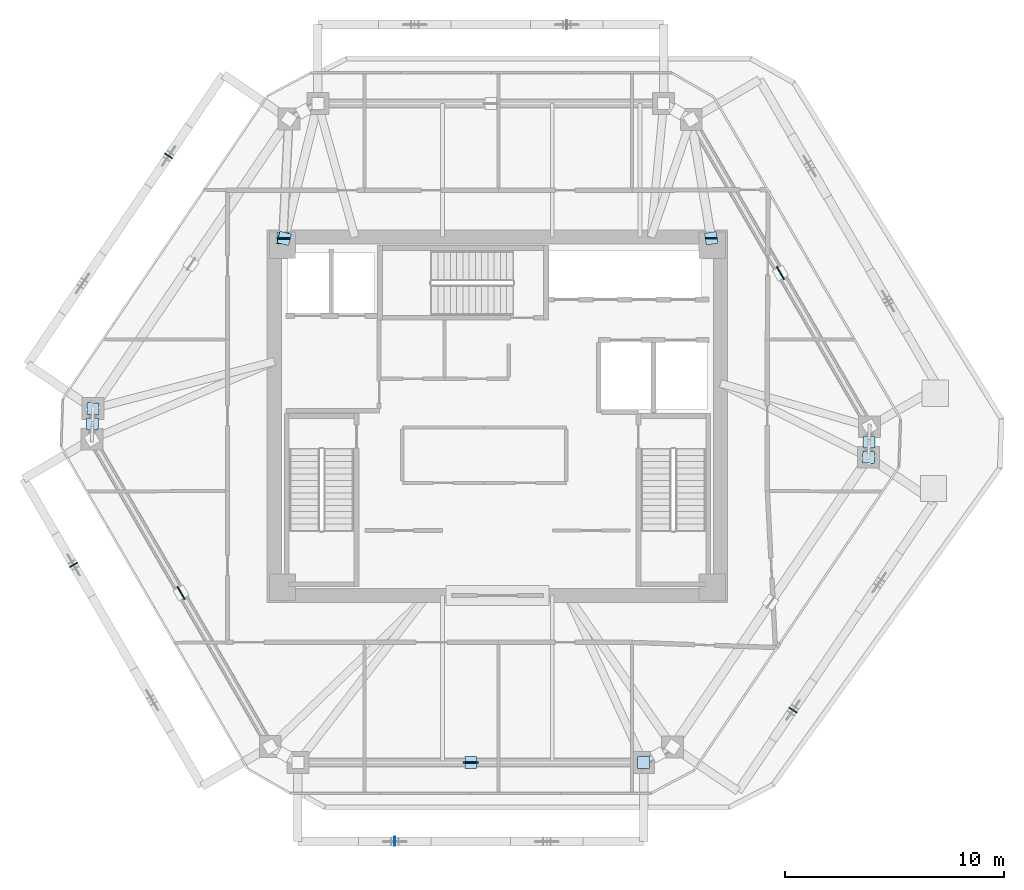
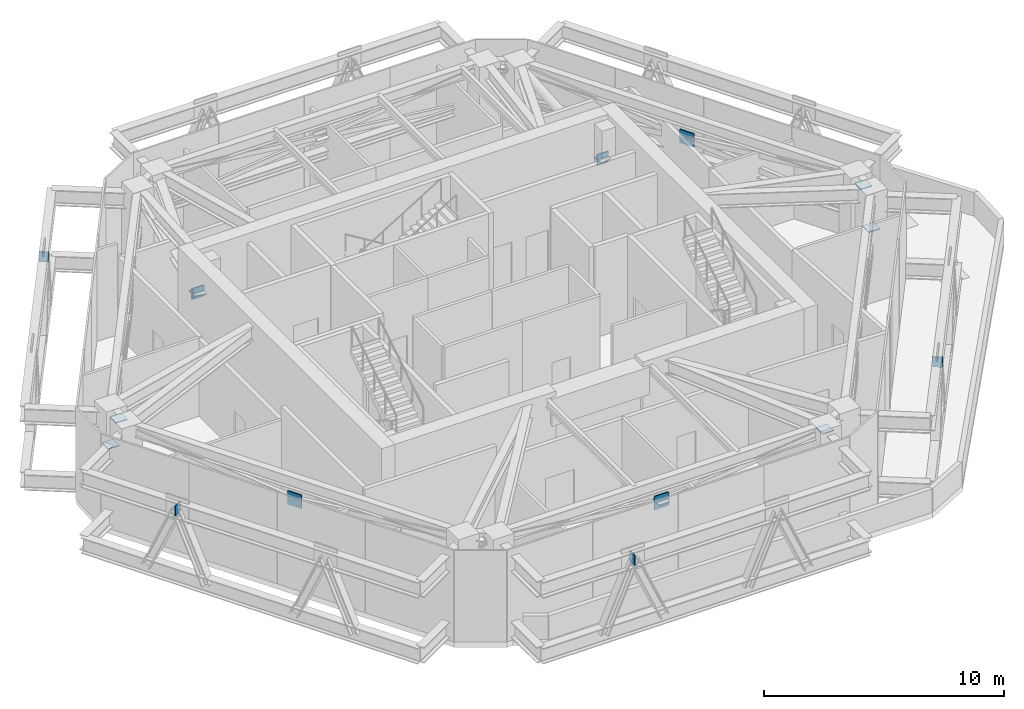
# One storey, part 5 of 10: 19 plates.
"""IFC4 building model written with IfcOpenShell, lengths in metres."""

from ifc_helpers import new_model, si_unit, direction, frame, origin, origin_2d, place, context, subcontext, project, spatial, rectangle, extrude, source, transform, mapped, material, layer, layer_set, type_object, type_shapes, element, save


model = new_model("IFC4")

# Units and contexts
model_context = context("Model", 3, precision=1e-05, world=origin(), true_north=direction((0.0, 1.0)))
body_context = subcontext(model_context, "Body", "Model", "MODEL_VIEW")
ifc_project = project(units=[si_unit("LENGTHUNIT", "METRE"), si_unit("AREAUNIT", "SQUARE_METRE"), si_unit("VOLUMEUNIT", "CUBIC_METRE"), si_unit("PLANEANGLEUNIT", "RADIAN"), si_unit("MASSUNIT", "GRAM", prefix="KILO")], contexts=[model_context])

# Site, building, storey
site_placement = place(None, origin())
site = spatial("IfcSite", under=ifc_project, at=site_placement, CompositionType="ELEMENT")
building_placement = place(site_placement, origin())
building = spatial("IfcBuilding", under=site, at=building_placement, Name="Durnholm Broadcast Tower", CompositionType="ELEMENT")
storey_placement = place(building_placement, frame((0.0, 0.0, 213.39990234375)))
storey = spatial("IfcBuildingStorey", under=building, at=storey_placement, Name="L59", CompositionType="ELEMENT", Elevation=213.39990234375)

# Plates
ifc_material_1 = material(Name="Steel ASTM A572 Grade 50", Category="steel")
ifc_layer_1 = layer(ifc_material_1, 0.0400390625)
ifc_layer_set_1 = layer_set([ifc_layer_1], Name="Steel ASTM A572 Grade 50")
plate_type_1 = type_object("IfcPlateType", Name="PLT-KN-CAP", PredefinedType="USERDEFINED", material=ifc_layer_set_1)
shared_shape_1 = source(origin(), body_context, "Body", "SweptSolid", [
    extrude(rectangle(XDim=0.5400390625, YDim=0.5400390625, at=origin_2d()), origin(), (0.0, 0.0, 1.0), 0.0400390625),
])
type_shapes(plate_type_1, [shared_shape_1])
for number, where, z_axis, x_axis, name in (
    (1, (-18.4462890625, 0.345947265625, 2.530029296875), (0.0, 0.0, 1.0), (0.034376212129, 0.999408963358, 0.0), "L59 hollow section end cap plate BT-CH-L59-02 2"),
    (2, (-18.47021484375, -0.35107421875, 4.2900390625), (0.0, 0.0, 1.0), (0.034376212129, 0.999408963358, 0.0), "L59 hollow section end cap plate BT-BR-L59-02-1 2"),
    (3, (16.92236328125, -1.869873046875, 2.530029296875), (0.0, 0.0, 1.0), (-0.034376212129, -0.999408963358, 0.0), "L59 hollow section end cap plate BT-CH-L59-08 2"),
    (4, (16.9462890625, -1.173095703125, 4.2900390625), (0.0, 0.0, 1.0), (-0.034201781837, -0.999414947917, 0.0), "L59 hollow section end cap plate BT-BR-L59-08-1 2"),
    (5, (-1.219970703125, -15.785888671875, 3.41015625), (0.0, 0.0, 1.0), (1.0, 0.0, 0.0), "L59 hollow section end cap plate BT-XSPLIT-L59-11-1 2"),
    (6, (6.663818359375, -15.785888671875, 4.2900390625), (0.0, 0.0, 1.0), (1.0, 0.0, 0.0), "L59 hollow section end cap plate BT-XSPLIT-L59-11-2 2"),
    (7, (-9.7841796875, 8.11962890625, 2.530029296875), (0.0, 0.0, 1.0), (0.049547056062, 0.998771790368, 0.0), "L59 hollow section end cap plate OUT-STR-L59-04 1"),
    (8, (-9.722412109375, 8.110595703125, 2.530029296875), (0.0, 0.0, 1.0), (0.242091240466, 0.970253488162, 0.0), "L59 hollow section end cap plate OUT-STR-L59-05 1"),
    (9, (9.7470703125, 8.115478515625, 2.530029296875), (0.0, 0.0, 1.0), (-0.165391874421, 0.986227928968, 0.0), "L59 hollow section end cap plate OUT-STR-L59-07 1"),
):
    element("IfcPlate", number, at=place(storey_placement, frame(where, z_axis=z_axis, x_axis=x_axis)), inside=storey, type_object=plate_type_1, Name=name, ObjectType="CAP_PLATE", PredefinedType="USERDEFINED", context=body_context, shape_type="MappedRepresentation", body=[
        mapped(shared_shape_1, transform((0.0, 0.0, 0.0), x_axis=(1.0, 0.0, 0.0), y_axis=(0.0, 1.0, 0.0), z_axis=(0.0, 0.0, 1.0), scale=1.0)),
    ])
ifc_material_2 = material(Name="ASTM A572 Grade 50 Steel", Category="steel")
ifc_layer_2 = layer(ifc_material_2, 0.06005859375)
ifc_layer_set_2 = layer_set([ifc_layer_2], Name="ASTM A572 Grade 50 Steel")
plate_type_2 = type_object("IfcPlateType", Name="PLT-KN-X1", PredefinedType="USERDEFINED", material=ifc_layer_set_2)
shared_shape_2 = source(origin(), body_context, "Body", "SweptSolid", [
    extrude(rectangle(XDim=0.679931640625, YDim=0.06005859375, at=origin_2d()), origin(), (0.0, 0.0, 1.0), 0.679931640625),
])
type_shapes(plate_type_2, [shared_shape_2])
for number, where, z_axis, x_axis, name in (
    (10, (-14.427734375, -8.0546875, 3.09033203125), (0.0, 0.0, 1.0), (-0.501963660617, 0.864888711581, 0.0), "L59 belt-truss X-brace crossing gusset plate 01"),
    (11, (12.90380859375, 6.53076171875, 3.09033203125), (0.0, 0.0, 1.0), (0.501963660617, -0.864888711581, 0.0), "L59 belt-truss X-brace crossing gusset plate 07"),
    (12, (-1.219970703125, -15.785888671875, 3.09033203125), (0.0, 0.0, 1.0), (-1.0, 0.0, 0.0), "L59 belt-truss X-brace crossing gusset plate 11"),
):
    element("IfcPlate", number, at=place(storey_placement, frame(where, z_axis=z_axis, x_axis=x_axis)), inside=storey, type_object=plate_type_2, Name=name, ObjectType="GUSSET_PLATE", PredefinedType="USERDEFINED", context=body_context, shape_type="MappedRepresentation", body=[
        mapped(shared_shape_2, transform((0.0, 0.0, 0.0), x_axis=(1.0, 0.0, 0.0), y_axis=(0.0, 1.0, 0.0), z_axis=(0.0, 0.0, 1.0), scale=1.0)),
    ])
ifc_layer_3 = layer(ifc_material_1, 0.044921875)
ifc_layer_set_3 = layer_set([ifc_layer_3], Name="Steel ASTM A572 Grade 50")
plate_type_3 = type_object("IfcPlateType", Name="PLT-KN-STIF", PredefinedType="SHEET", material=ifc_layer_set_3)
shared_shape_3 = source(origin(), body_context, "Body", "SweptSolid", [
    extrude(rectangle(XDim=0.550048828125, YDim=0.06005859375, at=origin_2d()), origin(), (0.0, 0.0, 1.0), 0.550048828125),
])
for number, where, z_axis, x_axis, name in (
    (13, (-9.7841796875, 8.11962890625, 2.27490234375), (0.0, 0.0, 1.0), (1.0, 0.0, 0.0), "L59 core wall cast-in outrigger embedment plate 04"),
    (14, (-9.722412109375, 8.110595703125, 2.27490234375), (0.0, 0.0, 1.0), (1.0, 0.0, 0.0), "L59 core wall cast-in outrigger embedment plate 05"),
    (15, (9.7470703125, 8.115478515625, 2.27490234375), (0.0, 0.0, 1.0), (1.0, 0.0, 0.0), "L59 core wall cast-in outrigger embedment plate 07"),
):
    element("IfcPlate", number, at=place(storey_placement, frame(where, z_axis=z_axis, x_axis=x_axis)), inside=storey, type_object=plate_type_3, Name=name, ObjectType="GUSSET_PLATE", PredefinedType="USERDEFINED", context=body_context, shape_type="MappedRepresentation", body=[
        mapped(shared_shape_3, transform((0.0, 0.0, 0.0), x_axis=(1.0, 0.0, 0.0), y_axis=(0.0, 1.0, 0.0), z_axis=(0.0, 0.0, 1.0), scale=1.0)),
    ])
shared_shape_4 = source(origin(), body_context, "Body", "SweptSolid", [
    extrude(rectangle(XDim=0.044921875, YDim=0.419921875, at=origin_2d()), origin(), (0.0, 0.0, 1.0), 0.52001953125),
])
type_shapes(plate_type_3, [shared_shape_3, shared_shape_4])
for number, where, z_axis, x_axis, name in (
    (16, (-4.688720703125, -19.385986328125, 3.648681640625), (0.0, 0.0, 1.0), (1.0, 0.0, 0.0), "L59 welded diagrid node stiffener plate F1"),
    (17, (13.47412109375, -13.398193359375, 3.648681640625), (0.0, 0.0, 1.0), (0.560060762816, 0.828451532652, 0.0), "L59 welded diagrid node stiffener plate F2"),
    (18, (-14.998046875, 11.874267578125, 3.648681640625), (0.0, 0.0, 1.0), (-0.560060762816, -0.828451532652, 0.0), "L59 welded diagrid node stiffener plate F5"),
    (19, (-19.330810546875, -6.77880859375, 3.648681640625), (0.0, 0.0, 1.0), (0.501963660617, -0.864888711581, 0.0), "L59 welded diagrid node stiffener plate F6"),
):
    element("IfcPlate", number, at=place(storey_placement, frame(where, z_axis=z_axis, x_axis=x_axis)), inside=storey, type_object=plate_type_3, Name=name, PredefinedType="SHEET", context=body_context, shape_type="MappedRepresentation", body=[
        mapped(shared_shape_4, transform((0.0, 0.0, 0.0), x_axis=(1.0, 0.0, 0.0), y_axis=(0.0, 1.0, 0.0), z_axis=(0.0, 0.0, 1.0), scale=1.0)),
    ])

save(model, "model.ifc")
